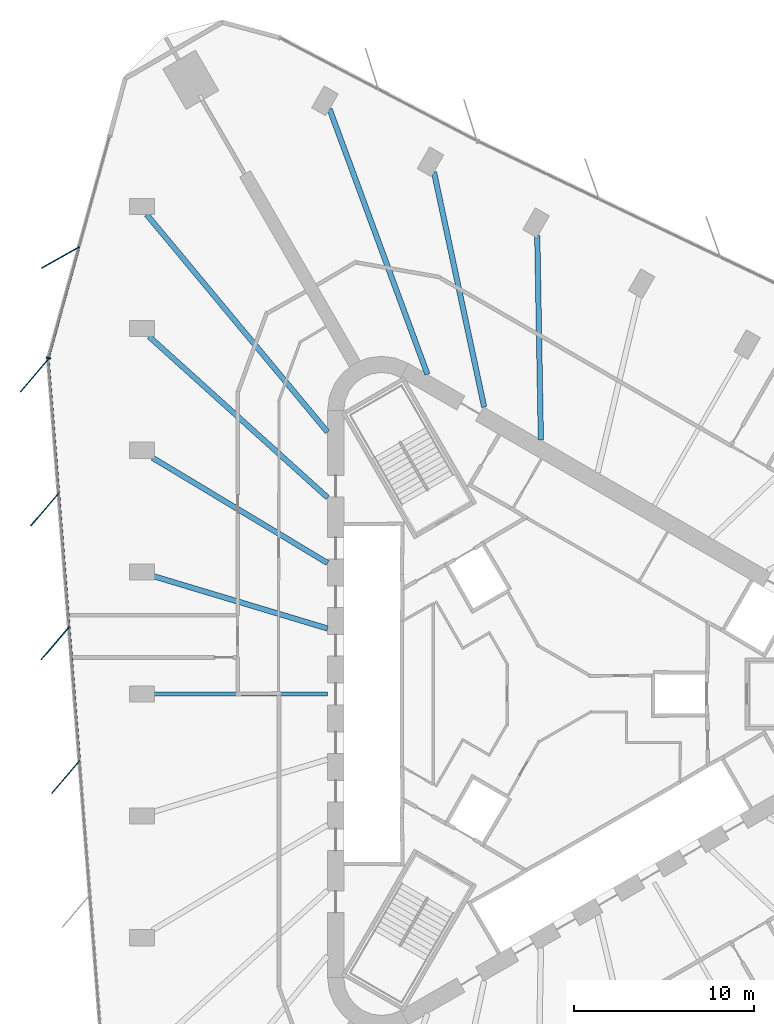
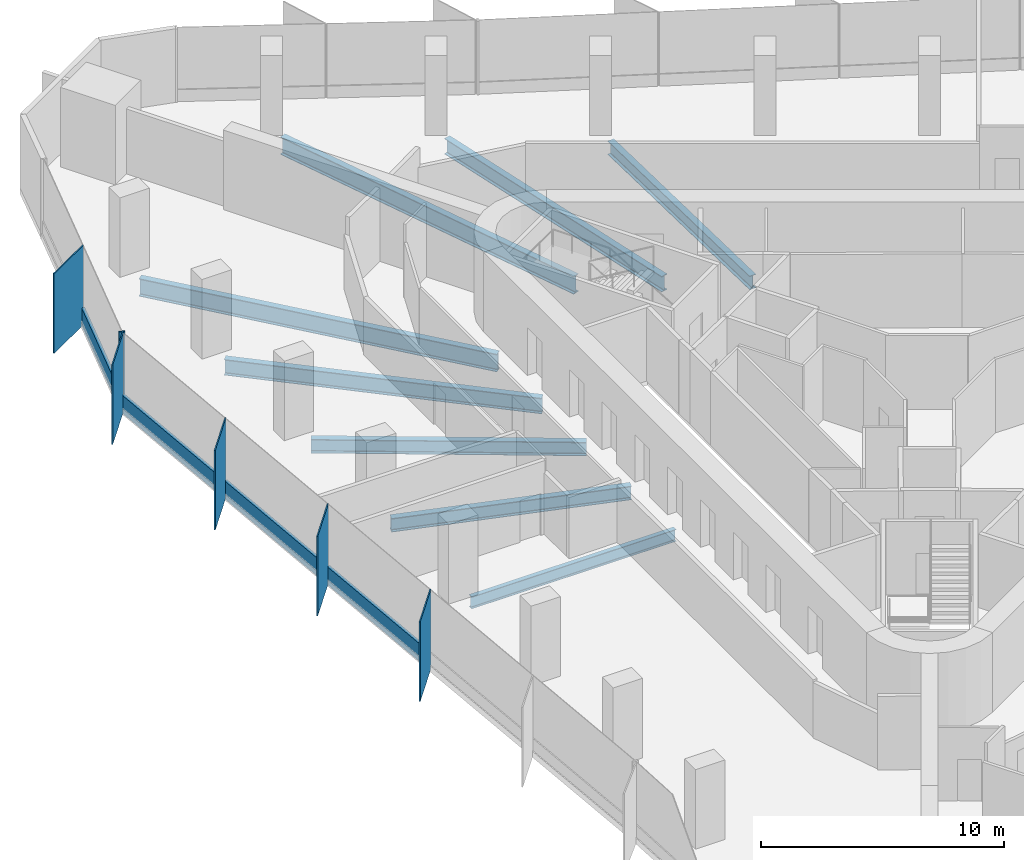
# One storey, part 4 of 13: 10 members, 8 beams, 2 elements without a shape of their own.
"""IFC4 building model written with IfcOpenShell, lengths in metres."""

from ifc_helpers import new_model, si_unit, direction, frame, origin, origin_2d, place, context, subcontext, project, spatial, rectangle, i_section, extrude, material, material_profile, profile_set, type_object, element, aggregate, save


model = new_model("IFC4")

# Units and contexts
model_context = context("Model", 3, precision=1e-05, world=origin(), true_north=direction((0.0, 1.0)))
body_context = subcontext(model_context, "Body", "Model", "MODEL_VIEW")
ifc_project = project(units=[si_unit("LENGTHUNIT", "METRE"), si_unit("AREAUNIT", "SQUARE_METRE"), si_unit("VOLUMEUNIT", "CUBIC_METRE"), si_unit("PLANEANGLEUNIT", "RADIAN"), si_unit("MASSUNIT", "GRAM", prefix="KILO")], contexts=[model_context])

# Site, building, storey
site_placement = place(None, origin())
site = spatial("IfcSite", under=ifc_project, at=site_placement, CompositionType="ELEMENT")
building_placement = place(site_placement, origin())
building = spatial("IfcBuilding", under=site, at=building_placement, Name="Tanit Gate Tower", CompositionType="ELEMENT")
storey_placement = place(building_placement, frame((0.0, 0.0, 181.199951171875)))
storey = spatial("IfcBuildingStorey", under=building, at=storey_placement, Name="L39", CompositionType="ELEMENT", Elevation=181.199951171875)

# Curtain wall, member
ifc_material_1 = material(Name="Aluminium bronze anodised and glass", Category="aluminium")
curtain_wall_type = type_object("IfcCurtainWallType", Name="Curtain wall typical mid", PredefinedType="NOTDEFINED", material=ifc_material_1)
curtain_wall_1_placement = place(storey_placement, origin())
curtain_wall_1 = element("IfcCurtainWall", 1, at=curtain_wall_1_placement, inside=storey, type_object=curtain_wall_type, Name="Curtain wall L39 W1", PredefinedType="NOTDEFINED")
ifc_material_2 = material(Name="Aluminium bronze anodised", Category="aluminium")
ifc_material_profile_1 = material_profile(ifc_material_2, rectangle(XDim=2.39990234375, YDim=0.055908203125, at=origin_2d()), Name="56x2400 bronze fin mullion")
ifc_profile_set_1 = profile_set([ifc_material_profile_1], Name="Aluminium bronze anodised")
member_type_1 = type_object("IfcMemberType", Name="FIN MULLION 56x2400 bronze", PredefinedType="MULLION", material=ifc_profile_set_1)
member_1_placement = place(storey_placement, frame((-26.9375, 24.251953125, -0.300048828125), z_axis=(0.0, 0.0, 1.0), x_axis=(0.869820195639, 0.493368855178, 0.0)))
member_1 = element("IfcMember", 2, at=member_1_placement, type_object=member_type_1, Name="Fin mullion L39 W1.2", PredefinedType="MULLION", context=body_context, shape_type="SweptSolid", body=[
    extrude(rectangle(XDim=2.39990234375, YDim=0.055908203125, at=origin_2d()), origin(), (0.0, 0.0, 1.0), 4.0),
])

# Curtain wall, members
curtain_wall_2_placement = place(storey_placement, origin())
curtain_wall_2 = element("IfcCurtainWall", 3, at=curtain_wall_2_placement, inside=storey, type_object=curtain_wall_type, Name="Curtain wall L39 W2", PredefinedType="NOTDEFINED")
member_2_placement = place(storey_placement, frame((-28.388427734375, 17.694091796875, -0.300048828125), z_axis=(0.0, 0.0, 1.0), x_axis=(0.650025975428, 0.75991198916, 0.0)))
member_2 = element("IfcMember", 4, at=member_2_placement, type_object=member_type_1, Name="Fin mullion L39 W2.1", PredefinedType="MULLION", context=body_context, shape_type="SweptSolid", body=[
    extrude(rectangle(XDim=2.39990234375, YDim=0.055908203125, at=origin_2d()), origin(), (0.0, 0.0, 1.0), 4.0),
])
member_3_placement = place(storey_placement, frame((-27.808837890625, 10.25732421875, -0.300048828125), z_axis=(0.0, 0.0, 1.0), x_axis=(0.650025975428, 0.75991198916, 0.0)))
member_3 = element("IfcMember", 5, at=member_3_placement, type_object=member_type_1, Name="Fin mullion L39 W2.2", PredefinedType="MULLION", context=body_context, shape_type="SweptSolid", body=[
    extrude(rectangle(XDim=2.39990234375, YDim=0.055908203125, at=origin_2d()), origin(), (0.0, 0.0, 1.0), 4.0),
])
member_4_placement = place(storey_placement, frame((-27.229248046875, 2.8203125, -0.300048828125), z_axis=(0.0, 0.0, 1.0), x_axis=(0.650025975428, 0.75991198916, 0.0)))
member_4 = element("IfcMember", 6, at=member_4_placement, type_object=member_type_1, Name="Fin mullion L39 W2.3", PredefinedType="MULLION", context=body_context, shape_type="SweptSolid", body=[
    extrude(rectangle(XDim=2.39990234375, YDim=0.055908203125, at=origin_2d()), origin(), (0.0, 0.0, 1.0), 4.0),
])
member_5_placement = place(storey_placement, frame((-26.649658203125, -4.616455078125, -0.300048828125), z_axis=(0.0, 0.0, 1.0), x_axis=(0.650025975428, 0.75991198916, 0.0)))
member_5 = element("IfcMember", 7, at=member_5_placement, type_object=member_type_1, Name="Fin mullion L39 W2.4", PredefinedType="MULLION", context=body_context, shape_type="SweptSolid", body=[
    extrude(rectangle(XDim=2.39990234375, YDim=0.055908203125, at=origin_2d()), origin(), (0.0, 0.0, 1.0), 4.0),
])

# Member
ifc_material_3 = material(Name="Aluminium bronze anodised", Category="aluminium")
ifc_material_profile_2 = material_profile(ifc_material_3, rectangle(XDim=0.260009765625, YDim=0.080078125, at=origin_2d()), Name="80x260 bronze mullion")
ifc_profile_set_2 = profile_set([ifc_material_profile_2], Name="Aluminium bronze anodised")
member_type_2 = type_object("IfcMemberType", Name="Mullion 80x260 typical mid", PredefinedType="MULLION", material=ifc_profile_set_2)
member_6_placement = place(storey_placement, frame((-27.61474609375, 18.668212890625, -0.300048828125), z_axis=(0.0, 0.0, 1.0), x_axis=(0.963920221871, -0.266191295627, 0.0)))
member_6 = element("IfcMember", 8, at=member_6_placement, type_object=member_type_2, Name="Mullion L39 W1.3", PredefinedType="MULLION", context=body_context, shape_type="SweptSolid", body=[
    extrude(rectangle(XDim=0.260009765625, YDim=0.080078125, at=origin_2d()), origin(), (0.0, 0.0, 1.0), 4.0),
])

# Beams
ifc_material_4 = material(Name="Steel S355", Category="steel")
ifc_material_profile_3 = material_profile(ifc_material_4, i_section(OverallWidth=0.300048828125, OverallDepth=0.68994140625, WebThickness=0.014404296875, FlangeThickness=0.027099609375, FilletRadius=0.027099609375, at=origin_2d()), Name="HEA 700")
ifc_profile_set_3 = profile_set([ifc_material_profile_3], Name="Steel S355")
beam_type_1 = type_object("IfcBeamType", Name="RADIAL GIRDER HEA 700 S355", PredefinedType="BEAM", material=ifc_profile_set_3)
for number, where, z_axis, x_axis, name in (
    (9, (-0.451416015625, 25.460205078125, -0.64501953125), (0.017734805859, -0.999842725963, 0.0), (0.999842725963, 0.017734805859, 0.0), "RADIAL GIRDER"),
    (10, (-21.823486328125, 13.12109375, -0.64501953125), (0.857021594062, -0.51528049382, 0.0), (0.51528049382, 0.857021594062, 0.0), "RADIAL GIRDER"),
):
    element("IfcBeam", number, at=place(storey_placement, frame(where, z_axis=z_axis, x_axis=x_axis)), inside=storey, type_object=beam_type_1, Name=name, PredefinedType="BEAM", context=body_context, shape_type="SweptSolid", body=[
        extrude(i_section(OverallWidth=0.300048828125, OverallDepth=0.68994140625, WebThickness=0.014404296875, FlangeThickness=0.027099609375, FilletRadius=0.027099609375, at=origin_2d()), origin(), (0.0, 0.0, 1.0), 11.34326171875),
    ])
beam_1_placement = place(storey_placement, frame((-21.823486328125, 6.560546875, -0.64501953125), z_axis=(0.957665283908, -0.287884011361, 0.0), x_axis=(0.287884011361, 0.957665283908, 0.0)))
element("IfcBeam", 11, at=beam_1_placement, inside=storey, type_object=beam_type_1, Name="RADIAL GIRDER", PredefinedType="BEAM", context=body_context, shape_type="SweptSolid", body=[
    extrude(i_section(OverallWidth=0.300048828125, OverallDepth=0.68994140625, WebThickness=0.014404296875, FlangeThickness=0.027099609375, FilletRadius=0.027099609375, at=origin_2d()), origin(), (0.0, 0.0, 1.0), 10.151123046875),
])
ifc_material_5 = material(Name="Steel S355", Category="steel")
ifc_material_profile_4 = material_profile(ifc_material_5, i_section(OverallWidth=0.300048828125, OverallDepth=0.7900390625, WebThickness=0.014892578125, FlangeThickness=0.028076171875, FilletRadius=0.030029296875, at=origin_2d()), Name="HEA 800")
ifc_profile_set_4 = profile_set([ifc_material_profile_4], Name="Steel S355")
beam_type_2 = type_object("IfcBeamType", Name="RADIAL GIRDER HEA 800 S355", PredefinedType="BEAM", material=ifc_profile_set_4)
beam_2_placement = place(storey_placement, frame((-6.189453125, 29.00537109375, -0.695068359375), z_axis=(0.208696725108, -0.977980407232, 0.0), x_axis=(0.977980407232, 0.208696725108, 0.0)))
element("IfcBeam", 12, at=beam_2_placement, inside=storey, type_object=beam_type_2, Name="RADIAL GIRDER", PredefinedType="BEAM", context=body_context, shape_type="SweptSolid", body=[
    extrude(i_section(OverallWidth=0.300048828125, OverallDepth=0.7900390625, WebThickness=0.014892578125, FlangeThickness=0.028076171875, FilletRadius=0.030029296875, at=origin_2d()), origin(), (0.0, 0.0, 1.0), 13.36181640625),
])
beam_3_placement = place(storey_placement, frame((-22.024658203125, 19.86279296875, -0.695068359375), z_axis=(0.742618722564, -0.669714441309, 0.0), x_axis=(0.669714441309, 0.742618722564, 0.0)))
element("IfcBeam", 13, at=beam_3_placement, inside=storey, type_object=beam_type_2, Name="RADIAL GIRDER", PredefinedType="BEAM", context=body_context, shape_type="SweptSolid", body=[
    extrude(i_section(OverallWidth=0.300048828125, OverallDepth=0.7900390625, WebThickness=0.014892578125, FlangeThickness=0.028076171875, FilletRadius=0.030029296875, at=origin_2d()), origin(), (0.0, 0.0, 1.0), 13.361572265625),
])
ifc_material_6 = material(Name="Steel S355", Category="steel")
ifc_material_profile_5 = material_profile(ifc_material_6, i_section(OverallWidth=0.300048828125, OverallDepth=0.889892578125, WebThickness=0.01611328125, FlangeThickness=0.030029296875, FilletRadius=0.030029296875, at=origin_2d()), Name="HEA 900")
ifc_profile_set_5 = profile_set([ifc_material_profile_5], Name="Steel S355")
beam_type_3 = type_object("IfcBeamType", Name="RADIAL GIRDER HEA 900 S355", PredefinedType="BEAM", material=ifc_profile_set_5)
for number, where, z_axis, x_axis, name in (
    (14, (-11.990966796875, 32.498779296875, -0.744873046875), (0.346151727989, -0.93817854442, 0.0), (0.93817854442, 0.346151727989, 0.0), "RADIAL GIRDER"),
    (15, (-22.1494140625, 26.6337890625, -0.744873046875), (0.639410789887, -0.768865294949, 0.0), (0.768865294949, 0.639410789887, 0.0), "RADIAL GIRDER"),
):
    element("IfcBeam", number, at=place(storey_placement, frame(where, z_axis=z_axis, x_axis=x_axis)), inside=storey, type_object=beam_type_3, Name=name, PredefinedType="BEAM", context=body_context, shape_type="SweptSolid", body=[
        extrude(i_section(OverallWidth=0.300048828125, OverallDepth=0.889892578125, WebThickness=0.01611328125, FlangeThickness=0.030029296875, FilletRadius=0.030029296875, at=origin_2d()), origin(), (0.0, 0.0, 1.0), 15.71337890625),
    ])
ifc_material_7 = material(Name="Steel S355", Category="steel")
ifc_material_profile_6 = material_profile(ifc_material_7, i_section(OverallWidth=0.219970703125, OverallDepth=0.60009765625, WebThickness=0.011962890625, FlangeThickness=0.01904296875, FilletRadius=0.02392578125, at=origin_2d()), Name="IPE 600")
ifc_profile_set_6 = profile_set([ifc_material_profile_6], Name="Steel S355")
beam_type_4 = type_object("IfcBeamType", Name="RADIAL GIRDER IPE 600 S355", PredefinedType="BEAM", material=ifc_profile_set_6)
beam_4_placement = place(storey_placement, frame((-21.823486328125, 0.0, -0.599853515625), z_axis=(1.0, 0.0, 0.0), x_axis=(0.0, 1.0, 0.0)))
element("IfcBeam", 16, at=beam_4_placement, inside=storey, type_object=beam_type_4, Name="RADIAL GIRDER", PredefinedType="BEAM", context=body_context, shape_type="SweptSolid", body=[
    extrude(i_section(OverallWidth=0.219970703125, OverallDepth=0.60009765625, WebThickness=0.011962890625, FlangeThickness=0.01904296875, FilletRadius=0.02392578125, at=origin_2d()), origin(), (0.0, 0.0, 1.0), 9.721435546875),
])

# Member
ifc_material_8 = material(Name="Aluminium bronze anodised", Category="aluminium")
ifc_material_profile_7 = material_profile(ifc_material_8, rectangle(XDim=0.139892578125, YDim=0.89990234375, at=origin_2d()), Name="140x900 bronze transom")
ifc_profile_set_7 = profile_set([ifc_material_profile_7], Name="Aluminium bronze anodised")
member_type_3 = type_object("IfcMemberType", Name="Transom 140x900 typical mid", PredefinedType="USERDEFINED", material=ifc_profile_set_7)
member_7_placement = place(storey_placement, frame((-25.9228515625, 24.795166015625, 0.150146484375), z_axis=(-0.266164324835, -0.963927669582, 0.0), x_axis=(0.963927669582, -0.266164324835, 0.0)))
member_7 = element("IfcMember", 17, at=member_7_placement, type_object=member_type_3, Name="Transom L39 W1.2", ObjectType="TRANSOM", PredefinedType="USERDEFINED", context=body_context, shape_type="SweptSolid", body=[
    extrude(rectangle(XDim=0.139892578125, YDim=0.89990234375, at=origin_2d()), origin(), (0.0, 0.0, 1.0), 6.316162109375),
])

aggregate(curtain_wall_1, [member_1, member_6, member_7])

member_8_placement = place(storey_placement, frame((-27.619140625, 18.550048828125, 0.150146484375), z_axis=(0.077713489247, -0.996975733701, 0.0), x_axis=(0.996975733701, 0.077713489247, 0.0)))
member_8 = element("IfcMember", 18, at=member_8_placement, type_object=member_type_3, Name="Transom L39 W2.1", ObjectType="TRANSOM", PredefinedType="USERDEFINED", context=body_context, shape_type="SweptSolid", body=[
    extrude(rectangle(XDim=0.139892578125, YDim=0.89990234375, at=origin_2d()), origin(), (0.0, 0.0, 1.0), 7.37939453125),
])

member_9_placement = place(storey_placement, frame((-27.03955078125, 11.113037109375, 0.150146484375), z_axis=(0.077716052602, -0.996975533886, 0.0), x_axis=(0.996975533886, 0.077716052602, 0.0)))
member_9 = element("IfcMember", 19, at=member_9_placement, type_object=member_type_3, Name="Transom L39 W2.2", ObjectType="TRANSOM", PredefinedType="USERDEFINED", context=body_context, shape_type="SweptSolid", body=[
    extrude(rectangle(XDim=0.139892578125, YDim=0.89990234375, at=origin_2d()), origin(), (0.0, 0.0, 1.0), 7.379150390625),
])

member_10_placement = place(storey_placement, frame((-26.4599609375, 3.67626953125, 0.150146484375), z_axis=(0.077713489247, -0.996975733701, 0.0), x_axis=(0.996975733701, 0.077713489247, 0.0)))
member_10 = element("IfcMember", 20, at=member_10_placement, type_object=member_type_3, Name="Transom L39 W2.3", ObjectType="TRANSOM", PredefinedType="USERDEFINED", context=body_context, shape_type="SweptSolid", body=[
    extrude(rectangle(XDim=0.139892578125, YDim=0.89990234375, at=origin_2d()), origin(), (0.0, 0.0, 1.0), 7.37939453125),
])

aggregate(curtain_wall_2, [member_2, member_3, member_4, member_5, member_8, member_9, member_10])

save(model, "model.ifc")
